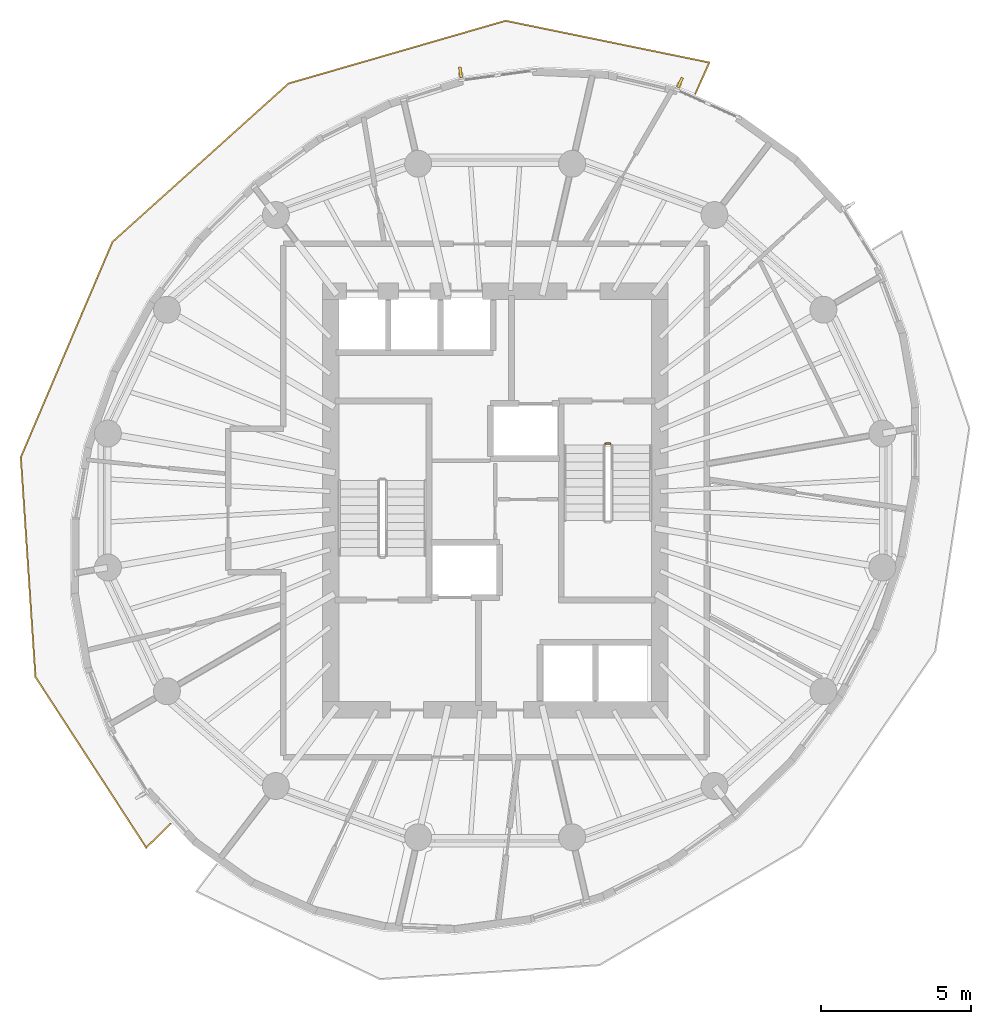
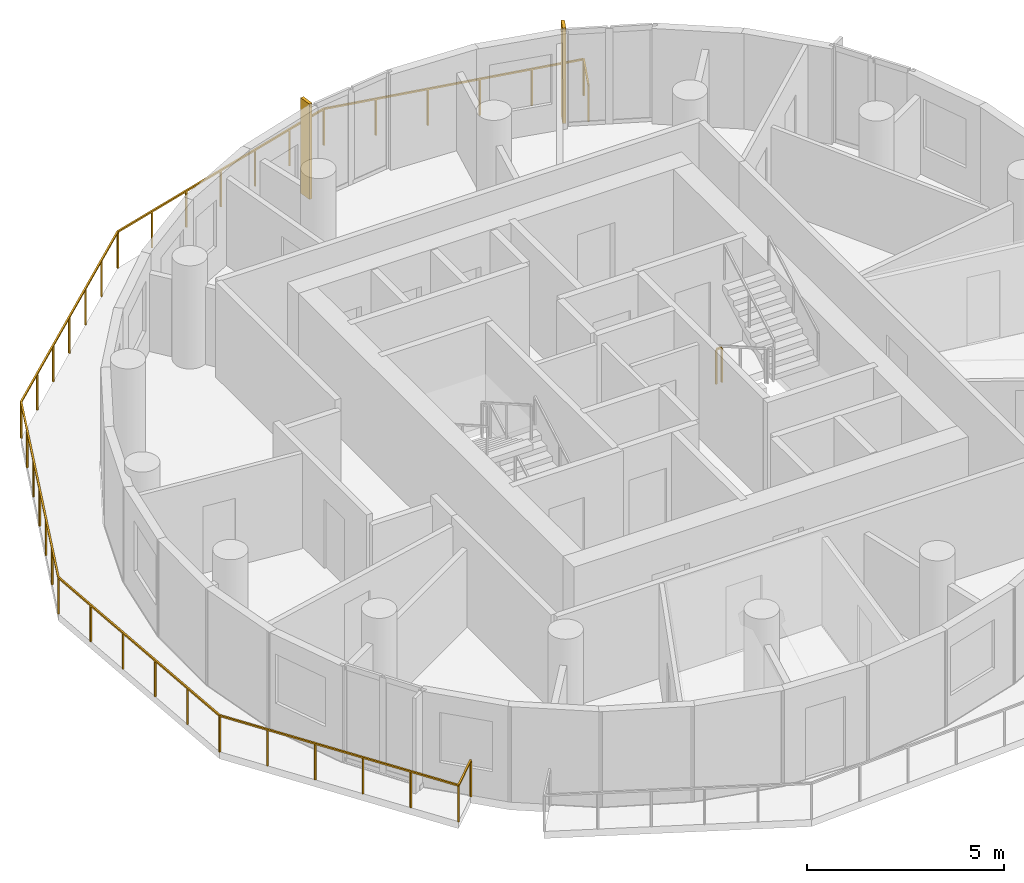
# One storey, part 9 of 10: 2 railings, 2 shading devices.
"""IFC4 building model written with IfcOpenShell, lengths in metres."""

from ifc_helpers import new_model, si_unit, direction, frame, origin, origin_2d, place, context, subcontext, project, spatial, rectangle, extrude, material, layer, layer_set, type_object, element, save


model = new_model("IFC4")

# Units and contexts
model_context = context("Model", 3, precision=1e-05, world=origin(), true_north=direction((0.0, 1.0)))
body_context = subcontext(model_context, "Body", "Model", "MODEL_VIEW")
ifc_project = project(units=[si_unit("LENGTHUNIT", "METRE"), si_unit("AREAUNIT", "SQUARE_METRE"), si_unit("VOLUMEUNIT", "CUBIC_METRE"), si_unit("PLANEANGLEUNIT", "RADIAN"), si_unit("MASSUNIT", "GRAM", prefix="KILO")], contexts=[model_context])

# Site, building, storey
site_placement = place(None, origin())
site = spatial("IfcSite", under=ifc_project, at=site_placement, CompositionType="ELEMENT")
building_placement = place(site_placement, origin())
building = spatial("IfcBuilding", under=site, at=building_placement, Name="Veldorim Arch Residences", CompositionType="ELEMENT")
storey_placement = place(building_placement, frame((0.0, 0.0, 195.0400390625)))
storey = spatial("IfcBuildingStorey", under=building, at=storey_placement, Name="L58", CompositionType="ELEMENT", Elevation=195.0400390625)

# Railings
ifc_material_1 = material(Name="Aluminium", Category="aluminium")
railing_type_1 = type_object("IfcRailingType", Name="Balcony & Terrace Laminated Glass Balustrade 1150", PredefinedType="BALUSTRADE", material=ifc_material_1)
railing_1_placement = place(storey_placement, frame((38.6943359375, 37.596923828125, 0.0)))
element("IfcRailing", 1, at=railing_1_placement, inside=storey, type_object=railing_type_1, Name="L58 crescent balcony safety balustrade A", PredefinedType="BALUSTRADE", context=body_context, shape_type="SweptSolid", body=[
    extrude(rectangle(XDim=0.048095703125, YDim=0.048095703125, at=origin_2d()), frame((0.0, 0.0, 1.1259765625), z_axis=(0.407812042378, 0.913065900191, 0.0), x_axis=(-0.913065900191, 0.407812042378, 0.0)), (0.0, 0.0, 1.0), 1.150146484375),
    extrude(rectangle(XDim=0.048095703125, YDim=0.048095703125, at=origin_2d()), frame((0.468994140625, 1.050048828125, 1.1259765625), z_axis=(-0.97963545867, 0.200784382153, 0.0), x_axis=(-0.200784382153, -0.97963545867, 0.0)), (0.0, 0.0, 1.0), 6.956298828125),
    extrude(rectangle(XDim=0.048095703125, YDim=0.048095703125, at=origin_2d()), frame((-6.345703125, 2.44677734375, 1.1259765625), z_axis=(-0.960694076147, -0.277609243464, 0.0), x_axis=(0.277609243464, -0.960694076147, 0.0)), (0.0, 0.0, 1.0), 7.55517578125),
    extrude(rectangle(XDim=0.048095703125, YDim=0.048095703125, at=origin_2d()), frame((-13.60400390625, 0.349365234375, 1.1259765625), z_axis=(-0.743455085747, -0.668785866685, 0.0), x_axis=(0.668785866685, -0.743455085747, 0.0)), (0.0, 0.0, 1.0), 7.9189453125),
    extrude(rectangle(XDim=0.048095703125, YDim=0.048095703125, at=origin_2d()), frame((-19.491455078125, -4.94677734375, 1.1259765625), z_axis=(-0.391634345347, -0.920120937456, 0.0), x_axis=(0.920120937456, -0.391634345347, 0.0)), (0.0, 0.0, 1.0), 7.83154296875),
    extrude(rectangle(XDim=0.048095703125, YDim=0.048095703125, at=origin_2d()), frame((-22.55859375, -12.15283203125, 1.1259765625), z_axis=(0.066503592508, -0.997786185605, 0.0), x_axis=(0.997786185605, 0.066503592508, 0.0)), (0.0, 0.0, 1.0), 7.35693359375),
    extrude(rectangle(XDim=0.048095703125, YDim=0.048095703125, at=origin_2d()), frame((-22.0693359375, -19.493408203125, 1.1259765625), z_axis=(0.544389574697, -0.838832516633, 0.0), x_axis=(0.838832516633, 0.544389574697, 0.0)), (0.0, 0.0, 1.0), 6.80908203125),
    extrude(rectangle(XDim=0.048095703125, YDim=0.048095703125, at=origin_2d()), frame((-18.362548828125, -25.205078125, 1.1259765625), z_axis=(0.715442809068, 0.698671301081, 0.0), x_axis=(-0.698671301081, 0.715442809068, 0.0)), (0.0, 0.0, 1.0), 1.14990234375),
    extrude(rectangle(XDim=0.0419921875, YDim=0.0419921875, at=origin_2d()), origin(), (0.0, 0.0, 1.0), 1.101806640625),
    extrude(rectangle(XDim=0.0419921875, YDim=0.0419921875, at=origin_2d()), frame((0.468994140625, 1.050048828125, 0.0)), (0.0, 0.0, 1.0), 1.101806640625),
    extrude(rectangle(XDim=0.0419921875, YDim=0.0419921875, at=origin_2d()), frame((-0.89404296875, 1.329345703125, 0.0)), (0.0, 0.0, 1.0), 1.101806640625),
    extrude(rectangle(XDim=0.0419921875, YDim=0.0419921875, at=origin_2d()), frame((-2.2568359375, 1.608642578125, 0.0)), (0.0, 0.0, 1.0), 1.101806640625),
    extrude(rectangle(XDim=0.0419921875, YDim=0.0419921875, at=origin_2d()), frame((-3.619873046875, 1.88818359375, 0.0)), (0.0, 0.0, 1.0), 1.101806640625),
    extrude(rectangle(XDim=0.0419921875, YDim=0.0419921875, at=origin_2d()), frame((-4.982666015625, 2.16748046875, 0.0)), (0.0, 0.0, 1.0), 1.101806640625),
    extrude(rectangle(XDim=0.0419921875, YDim=0.0419921875, at=origin_2d()), frame((-6.345703125, 2.44677734375, 0.0)), (0.0, 0.0, 1.0), 1.101806640625),
    extrude(rectangle(XDim=0.0419921875, YDim=0.0419921875, at=origin_2d()), frame((-7.555419921875, 2.09716796875, 0.0)), (0.0, 0.0, 1.0), 1.101806640625),
    extrude(rectangle(XDim=0.0419921875, YDim=0.0419921875, at=origin_2d()), frame((-8.76513671875, 1.74755859375, 0.0)), (0.0, 0.0, 1.0), 1.101806640625),
    extrude(rectangle(XDim=0.0419921875, YDim=0.0419921875, at=origin_2d()), frame((-9.974853515625, 1.39794921875, 0.0)), (0.0, 0.0, 1.0), 1.101806640625),
    extrude(rectangle(XDim=0.0419921875, YDim=0.0419921875, at=origin_2d()), frame((-11.1845703125, 1.048583984375, 0.0)), (0.0, 0.0, 1.0), 1.101806640625),
    extrude(rectangle(XDim=0.0419921875, YDim=0.0419921875, at=origin_2d()), frame((-12.394287109375, 0.698974609375, 0.0)), (0.0, 0.0, 1.0), 1.101806640625),
    extrude(rectangle(XDim=0.0419921875, YDim=0.0419921875, at=origin_2d()), frame((-13.60400390625, 0.349365234375, 0.0)), (0.0, 0.0, 1.0), 1.101806640625),
    extrude(rectangle(XDim=0.0419921875, YDim=0.0419921875, at=origin_2d()), frame((-14.585205078125, -0.533203125, 0.0)), (0.0, 0.0, 1.0), 1.101806640625),
    extrude(rectangle(XDim=0.0419921875, YDim=0.0419921875, at=origin_2d()), frame((-15.56640625, -1.416015625, 0.0)), (0.0, 0.0, 1.0), 1.101806640625),
    extrude(rectangle(XDim=0.0419921875, YDim=0.0419921875, at=origin_2d()), frame((-16.5478515625, -2.298828125, 0.0)), (0.0, 0.0, 1.0), 1.101806640625),
    extrude(rectangle(XDim=0.0419921875, YDim=0.0419921875, at=origin_2d()), frame((-17.529052734375, -3.181396484375, 0.0)), (0.0, 0.0, 1.0), 1.101806640625),
    extrude(rectangle(XDim=0.0419921875, YDim=0.0419921875, at=origin_2d()), frame((-18.51025390625, -4.06396484375, 0.0)), (0.0, 0.0, 1.0), 1.101806640625),
    extrude(rectangle(XDim=0.0419921875, YDim=0.0419921875, at=origin_2d()), frame((-19.491455078125, -4.94677734375, 0.0)), (0.0, 0.0, 1.0), 1.101806640625),
    extrude(rectangle(XDim=0.0419921875, YDim=0.0419921875, at=origin_2d()), frame((-20.002685546875, -6.147705078125, 0.0)), (0.0, 0.0, 1.0), 1.101806640625),
    extrude(rectangle(XDim=0.0419921875, YDim=0.0419921875, at=origin_2d()), frame((-20.513916015625, -7.348876953125, 0.0)), (0.0, 0.0, 1.0), 1.101806640625),
    extrude(rectangle(XDim=0.0419921875, YDim=0.0419921875, at=origin_2d()), frame((-21.02490234375, -8.5498046875, 0.0)), (0.0, 0.0, 1.0), 1.101806640625),
    extrude(rectangle(XDim=0.0419921875, YDim=0.0419921875, at=origin_2d()), frame((-21.5361328125, -9.750732421875, 0.0)), (0.0, 0.0, 1.0), 1.101806640625),
    extrude(rectangle(XDim=0.0419921875, YDim=0.0419921875, at=origin_2d()), frame((-22.04736328125, -10.951904296875, 0.0)), (0.0, 0.0, 1.0), 1.101806640625),
    extrude(rectangle(XDim=0.0419921875, YDim=0.0419921875, at=origin_2d()), frame((-22.55859375, -12.15283203125, 0.0)), (0.0, 0.0, 1.0), 1.101806640625),
    extrude(rectangle(XDim=0.0419921875, YDim=0.0419921875, at=origin_2d()), frame((-22.460693359375, -13.620849609375, 0.0)), (0.0, 0.0, 1.0), 1.101806640625),
    extrude(rectangle(XDim=0.0419921875, YDim=0.0419921875, at=origin_2d()), frame((-22.36279296875, -15.089111328125, 0.0)), (0.0, 0.0, 1.0), 1.101806640625),
    extrude(rectangle(XDim=0.0419921875, YDim=0.0419921875, at=origin_2d()), frame((-22.26513671875, -16.55712890625, 0.0)), (0.0, 0.0, 1.0), 1.101806640625),
    extrude(rectangle(XDim=0.0419921875, YDim=0.0419921875, at=origin_2d()), frame((-22.167236328125, -18.025390625, 0.0)), (0.0, 0.0, 1.0), 1.101806640625),
    extrude(rectangle(XDim=0.0419921875, YDim=0.0419921875, at=origin_2d()), frame((-22.0693359375, -19.493408203125, 0.0)), (0.0, 0.0, 1.0), 1.101806640625),
    extrude(rectangle(XDim=0.0419921875, YDim=0.0419921875, at=origin_2d()), frame((-21.327880859375, -20.6357421875, 0.0)), (0.0, 0.0, 1.0), 1.101806640625),
    extrude(rectangle(XDim=0.0419921875, YDim=0.0419921875, at=origin_2d()), frame((-20.586669921875, -21.778076171875, 0.0)), (0.0, 0.0, 1.0), 1.101806640625),
    extrude(rectangle(XDim=0.0419921875, YDim=0.0419921875, at=origin_2d()), frame((-19.84521484375, -22.92041015625, 0.0)), (0.0, 0.0, 1.0), 1.101806640625),
    extrude(rectangle(XDim=0.0419921875, YDim=0.0419921875, at=origin_2d()), frame((-19.10400390625, -24.062744140625, 0.0)), (0.0, 0.0, 1.0), 1.101806640625),
    extrude(rectangle(XDim=0.0419921875, YDim=0.0419921875, at=origin_2d()), frame((-18.362548828125, -25.205078125, 0.0)), (0.0, 0.0, 1.0), 1.101806640625),
    extrude(rectangle(XDim=0.0419921875, YDim=0.0419921875, at=origin_2d()), frame((-17.539794921875, -24.401611328125, 0.0)), (0.0, 0.0, 1.0), 1.101806640625),
])
ifc_material_2 = material(Name="Steel S355", Category="steel")
railing_type_2 = type_object("IfcRailingType", Name="Galvanised Steel Stair Safety Guardrail 1100", PredefinedType="GUARDRAIL", material=ifc_material_2)
railing_2_placement = place(storey_placement, frame((35.68994140625, 25.89990234375, 0.0)))
element("IfcRailing", 2, at=railing_2_placement, inside=storey, type_object=railing_type_2, Name="L58 ST-2 stair guard 4", PredefinedType="GUARDRAIL", context=body_context, shape_type="SweptSolid", body=[
    extrude(rectangle(XDim=0.048095703125, YDim=0.048095703125, at=origin_2d()), frame((0.0, 0.0, 1.076171875), z_axis=(1.0, 0.0, 0.0), x_axis=(0.0, 1.0, 0.0)), (0.0, 0.0, 1.0), 0.16015625),
    extrude(rectangle(XDim=0.0419921875, YDim=0.0419921875, at=origin_2d()), origin(), (0.0, 0.0, 1.0), 1.052001953125),
    extrude(rectangle(XDim=0.0419921875, YDim=0.0419921875, at=origin_2d()), frame((0.16015625, 0.0, 0.0)), (0.0, 0.0, 1.0), 1.052001953125),
])

# Shading devices
ifc_material_3 = material(Name="Terracotta Ceramic", Category="masonry")
ifc_layer = layer(ifc_material_3, 0.090087890625, Name="Vertical Extruded Terracotta Baguette Sun-Shading Fin")
ifc_layer_set = layer_set([ifc_layer], Name="Terracotta Ceramic")
shading_device_type = type_object("IfcShadingDeviceType", Name="Vertical Extruded Terracotta Baguette Sun-Shading Fin", PredefinedType="USERDEFINED", material=ifc_layer_set)
for number, where, z_axis, x_axis, name in (
    (3, (38.18310546875, 37.975341796875, 0.0), (0.0, 0.0, 1.0), (0.912477494148, -0.409126902895, 0.0), "L58 vertical terracotta sun-shading fin 02"),
    (4, (30.841552734375, 38.318115234375, 0.0), (0.0, 0.0, 1.0), (0.990959799621, 0.134159142573, 0.0), "L58 vertical terracotta sun-shading fin 05"),
):
    element("IfcShadingDevice", number, at=place(storey_placement, frame(where, z_axis=z_axis, x_axis=x_axis)), inside=storey, type_object=shading_device_type, Name=name, ObjectType="FIN", PredefinedType="USERDEFINED", context=body_context, shape_type="SweptSolid", body=[
        extrude(rectangle(XDim=0.090087890625, YDim=0.360107421875, at=origin_2d()), origin(), (0.0, 0.0, 1.0), 2.9599609375),
    ])

save(model, "model.ifc")
